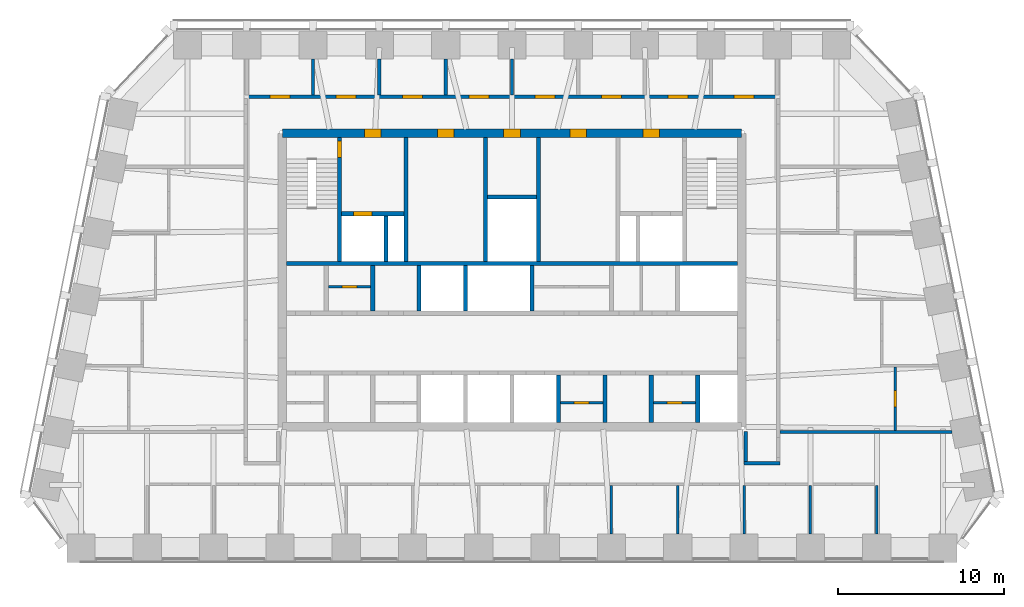
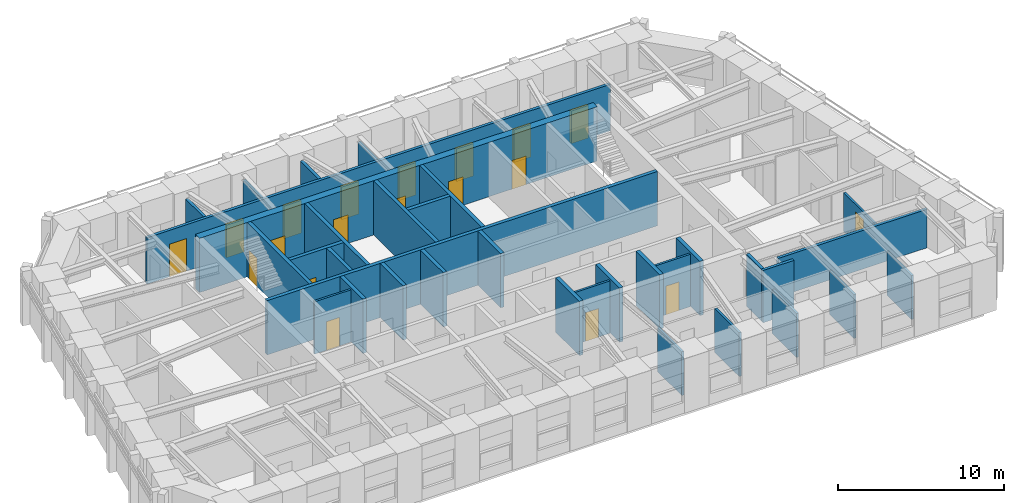
# One storey, part 6 of 10: 34 walls, 19 doors, 19 openings.
"""IFC4 building model written with IfcOpenShell, lengths in metres."""

from ifc_helpers import new_model, si_unit, direction, frame, frame_2d, origin, place, context, subcontext, project, spatial, rectangle, extrude, material, layer, layer_set, type_object, element, fill, save


model = new_model("IFC4")

# Units and contexts
model_context = context("Model", 3, precision=1e-05, world=origin(), true_north=direction((0.0, 1.0)))
body_context = subcontext(model_context, "Body", "Model", "MODEL_VIEW")
ifc_project = project(units=[si_unit("LENGTHUNIT", "METRE"), si_unit("AREAUNIT", "SQUARE_METRE"), si_unit("VOLUMEUNIT", "CUBIC_METRE"), si_unit("PLANEANGLEUNIT", "RADIAN"), si_unit("MASSUNIT", "GRAM", prefix="KILO")], contexts=[model_context])

# Site, building, storey
site_placement = place(None, origin())
site = spatial("IfcSite", under=ifc_project, at=site_placement, CompositionType="ELEMENT")
building_placement = place(site_placement, origin())
building = spatial("IfcBuilding", under=site, at=building_placement, Name="Isbrekke Arena Tower", CompositionType="ELEMENT")
storey_placement = place(building_placement, frame((0.0, 0.0, 300.0)))
storey = spatial("IfcBuildingStorey", under=building, at=storey_placement, Name="L70", CompositionType="ELEMENT", Elevation=300.0)

# Wall, openings, doors
ifc_material_1 = material(Name="Concrete B55 (C55/67)", Category="concrete")
ifc_layer_1 = layer(ifc_material_1, 0.5)
ifc_layer_set_1 = layer_set([ifc_layer_1], Name="CW5 CORE WALL 500")
wall_type_1 = type_object("IfcWallType", Name="CW5 CORE WALL 500", PredefinedType="SHEAR", material=ifc_layer_set_1)
wall_1_placement = place(storey_placement, frame((13.85009765625, 23.85009765625, 0.0), z_axis=(0.0, 0.0, 1.0), x_axis=(-1.0, 0.0, 0.0)))
wall_1 = element("IfcWall", 1, at=wall_1_placement, inside=storey, type_object=wall_type_1, Name="Core wall N L70", PredefinedType="SHEAR", context=body_context, shape_type="SweptSolid", body=[
    extrude(rectangle(XDim=27.7001953125, YDim=0.5, at=frame_2d((13.85009765625, 0.0))), origin(), (0.0, 0.0, 1.0), 4.0),
])
opening_1_placement = place(wall_1_placement, frame((21.75, 0.0, 0.0)))
opening_1 = element("IfcOpeningElement", 2, at=opening_1_placement, cuts=wall_1, Name="Opening D3", PredefinedType="OPENING", context=body_context, shape_type="SweptSolid", body=[
    extrude(rectangle(XDim=1.0, YDim=2.10009765625, at=frame_2d((0.5, 1.050048828125))), frame((0.0, 0.264892578125, 0.0), z_axis=(0.0, -1.0, 0.0), x_axis=(1.0, 0.0, 0.0)), (0.0, 0.0, 1.0), 0.52978515625),
])
opening_2_placement = place(wall_1_placement, frame((4.949951171875, 0.0, 0.0)))
opening_2 = element("IfcOpeningElement", 3, at=opening_2_placement, cuts=wall_1, Name="Opening D3", PredefinedType="OPENING", context=body_context, shape_type="SweptSolid", body=[
    extrude(rectangle(XDim=1.0, YDim=2.10009765625, at=frame_2d((0.5, 1.050048828125))), frame((0.0, 0.264892578125, 0.0), z_axis=(0.0, -1.0, 0.0), x_axis=(1.0, 0.0, 0.0)), (0.0, 0.0, 1.0), 0.52978515625),
])
opening_3_placement = place(wall_1_placement, frame((17.35009765625, 0.0, 0.0)))
opening_3 = element("IfcOpeningElement", 4, at=opening_3_placement, cuts=wall_1, Name="Opening D4", PredefinedType="OPENING", context=body_context, shape_type="SweptSolid", body=[
    extrude(rectangle(XDim=1.0, YDim=2.10009765625, at=frame_2d((0.5, 1.050048828125))), frame((0.0, 0.264892578125, 0.0), z_axis=(0.0, -1.0, 0.0), x_axis=(1.0, 0.0, 0.0)), (0.0, 0.0, 1.0), 0.52978515625),
])
opening_4_placement = place(wall_1_placement, frame((13.35009765625, 0.0, 0.0)))
opening_4 = element("IfcOpeningElement", 5, at=opening_4_placement, cuts=wall_1, Name="Opening D4", PredefinedType="OPENING", context=body_context, shape_type="SweptSolid", body=[
    extrude(rectangle(XDim=1.0, YDim=2.10009765625, at=frame_2d((0.5, 1.050048828125))), frame((0.0, 0.264892578125, 0.0), z_axis=(0.0, -1.0, 0.0), x_axis=(1.0, 0.0, 0.0)), (0.0, 0.0, 1.0), 0.52978515625),
])
opening_5_placement = place(wall_1_placement, frame((9.35009765625, 0.0, 0.0)))
opening_5 = element("IfcOpeningElement", 6, at=opening_5_placement, cuts=wall_1, Name="Opening D4", PredefinedType="OPENING", context=body_context, shape_type="SweptSolid", body=[
    extrude(rectangle(XDim=1.0, YDim=2.10009765625, at=frame_2d((0.5, 1.050048828125))), frame((0.0, 0.264892578125, 0.0), z_axis=(0.0, -1.0, 0.0), x_axis=(1.0, 0.0, 0.0)), (0.0, 0.0, 1.0), 0.52978515625),
])
ifc_material_2 = material(Name="Steel fire door", Category="steel")
door_type_1 = type_object("IfcDoorType", Name="D3 FIRE LOBBY DOOR 1000 x 2100", OperationType="SINGLE_SWING_RIGHT", PredefinedType="DOOR", material=ifc_material_2)
door_1_placement = place(opening_1_placement, origin())
door_1 = element("IfcDoor", 7, at=door_1_placement, inside=storey, type_object=door_type_1, Name="D3 fire-fighting lobby door L70", OperationType="SINGLE_SWING_RIGHT", OverallHeight=2.10009765625, OverallWidth=1.0, PredefinedType="DOOR", context=body_context, shape_type="SweptSolid", body=[
    extrude(rectangle(XDim=1.0, YDim=2.10009765625, at=frame_2d((0.5, 1.050048828125))), frame((0.0, 0.249755859375, 0.0), z_axis=(0.0, -1.0, 0.0), x_axis=(1.0, 0.0, 0.0)), (0.0, 0.0, 1.0), 0.49951171875),
])
fill(opening_1, door_1)
door_2_placement = place(opening_2_placement, origin())
door_2 = element("IfcDoor", 8, at=door_2_placement, inside=storey, type_object=door_type_1, Name="D3 fire-fighting lobby door L70", OperationType="SINGLE_SWING_RIGHT", OverallHeight=2.10009765625, OverallWidth=1.0, PredefinedType="DOOR", context=body_context, shape_type="SweptSolid", body=[
    extrude(rectangle(XDim=1.0, YDim=2.10009765625, at=frame_2d((0.5, 1.050048828125))), frame((0.0, 0.249755859375, 0.0), z_axis=(0.0, -1.0, 0.0), x_axis=(1.0, 0.0, 0.0)), (0.0, 0.0, 1.0), 0.49951171875),
])
fill(opening_2, door_2)
ifc_material_3 = material(Name="Timber door", Category="wood")
door_type_2 = type_object("IfcDoorType", Name="D4 WC DOOR 1000 x 2100", OperationType="SINGLE_SWING_LEFT", PredefinedType="DOOR", material=ifc_material_3)
door_3_placement = place(opening_3_placement, origin())
door_3 = element("IfcDoor", 9, at=door_3_placement, inside=storey, type_object=door_type_2, Name="D4 wc female door L70", OperationType="SINGLE_SWING_LEFT", OverallHeight=2.10009765625, OverallWidth=1.0, PredefinedType="DOOR", context=body_context, shape_type="SweptSolid", body=[
    extrude(rectangle(XDim=1.0, YDim=2.10009765625, at=frame_2d((0.5, 1.050048828125))), frame((0.0, 0.249755859375, 0.0), z_axis=(0.0, -1.0, 0.0), x_axis=(1.0, 0.0, 0.0)), (0.0, 0.0, 1.0), 0.49951171875),
])
fill(opening_3, door_3)
door_4_placement = place(opening_4_placement, origin())
door_4 = element("IfcDoor", 10, at=door_4_placement, inside=storey, type_object=door_type_2, Name="D4 accessible wc door L70", OperationType="SINGLE_SWING_LEFT", OverallHeight=2.10009765625, OverallWidth=1.0, PredefinedType="DOOR", context=body_context, shape_type="SweptSolid", body=[
    extrude(rectangle(XDim=1.0, YDim=2.10009765625, at=frame_2d((0.5, 1.050048828125))), frame((0.0, 0.249755859375, 0.0), z_axis=(0.0, -1.0, 0.0), x_axis=(1.0, 0.0, 0.0)), (0.0, 0.0, 1.0), 0.49951171875),
])
fill(opening_4, door_4)
door_5_placement = place(opening_5_placement, origin())
door_5 = element("IfcDoor", 11, at=door_5_placement, inside=storey, type_object=door_type_2, Name="D4 wc male door L70", OperationType="SINGLE_SWING_LEFT", OverallHeight=2.10009765625, OverallWidth=1.0, PredefinedType="DOOR", context=body_context, shape_type="SweptSolid", body=[
    extrude(rectangle(XDim=1.0, YDim=2.10009765625, at=frame_2d((0.5, 1.050048828125))), frame((0.0, 0.249755859375, 0.0), z_axis=(0.0, -1.0, 0.0), x_axis=(1.0, 0.0, 0.0)), (0.0, 0.0, 1.0), 0.49951171875),
])
fill(opening_5, door_5)

# Walls
ifc_material_4 = material(Name="Concrete B45 (C45/55)", Category="concrete")
ifc_layer_2 = layer(ifc_material_4, 0.25)
ifc_layer_set_2 = layer_set([ifc_layer_2], Name="CW6 SHAFT WALL 250")
wall_type_2 = type_object("IfcWallType", Name="CW6 SHAFT WALL 250", PredefinedType="SHEAR", material=ifc_layer_set_2)
wall_2_placement = place(storey_placement, frame((-13.60009765625, 16.0, 0.0), z_axis=(0.0, 0.0, 1.0), x_axis=(1.0, 0.0, 0.0)))
element("IfcWall", 12, at=wall_2_placement, inside=storey, type_object=wall_type_2, Name="Core wall NB L70", PredefinedType="SHEAR", context=body_context, shape_type="SweptSolid", body=[
    extrude(rectangle(XDim=27.2001953125, YDim=0.25, at=frame_2d((13.60009765625, 0.0))), origin(), (0.0, 0.0, 1.0), 4.0),
])
for number, where, z_axis, x_axis, name in (
    (13, (2.800048828125, 6.39990234375, 0.0), (0.0, 0.0, 1.0), (0.0, 1.0, 0.0), "Core wall SS06 L70"),
    (14, (5.60009765625, 6.39990234375, 0.0), (0.0, 0.0, 1.0), (0.0, 1.0, 0.0), "Core wall SS07 L70"),
    (15, (8.39990234375, 6.39990234375, 0.0), (0.0, 0.0, 1.0), (0.0, 1.0, 0.0), "Core wall SS08 L70"),
    (16, (11.199951171875, 6.39990234375, 0.0), (0.0, 0.0, 1.0), (0.0, 1.0, 0.0), "Core wall SS09 L70"),
):
    element("IfcWall", number, at=place(storey_placement, frame(where, z_axis=z_axis, x_axis=x_axis)), inside=storey, type_object=wall_type_2, Name=name, PredefinedType="SHEAR", context=body_context, shape_type="SweptSolid", body=[
        extrude(rectangle(XDim=2.875, YDim=0.25, at=frame_2d((1.4375, 0.0))), origin(), (0.0, 0.0, 1.0), 4.0),
    ])
for number, where, z_axis, x_axis, name in (
    (17, (-8.39990234375, 13.125, 0.0), (0.0, 0.0, 1.0), (0.0, 1.0, 0.0), "Core wall SN02 L70"),
    (18, (-5.60009765625, 13.125, 0.0), (0.0, 0.0, 1.0), (0.0, 1.0, 0.0), "Core wall SN03 L70"),
    (19, (-2.800048828125, 13.125, 0.0), (0.0, 0.0, 1.0), (0.0, 1.0, 0.0), "Core wall SN04 L70"),
    (20, (1.199951171875, 13.125, 0.0), (0.0, 0.0, 1.0), (0.0, 1.0, 0.0), "Core wall SN05 L70"),
):
    element("IfcWall", number, at=place(storey_placement, frame(where, z_axis=z_axis, x_axis=x_axis)), inside=storey, type_object=wall_type_2, Name=name, PredefinedType="SHEAR", context=body_context, shape_type="SweptSolid", body=[
        extrude(rectangle(XDim=2.75, YDim=0.25, at=frame_2d((1.375, 0.0))), origin(), (0.0, 0.0, 1.0), 4.0),
    ])

# Wall, opening, door
wall_3_placement = place(storey_placement, frame((-10.39990234375, 16.125, 0.0), z_axis=(0.0, 0.0, 1.0), x_axis=(0.0, 1.0, 0.0)))
wall_3 = element("IfcWall", 21, at=wall_3_placement, inside=storey, type_object=wall_type_2, Name="Core wall NV01 L70", PredefinedType="SHEAR", context=body_context, shape_type="SweptSolid", body=[
    extrude(rectangle(XDim=7.47509765625, YDim=0.25, at=frame_2d((3.737548828125, 0.0))), origin(), (0.0, 0.0, 1.0), 4.0),
])
opening_6_placement = place(wall_3_placement, frame((6.27490234375, 0.0, 0.0)))
opening_6 = element("IfcOpeningElement", 22, at=opening_6_placement, cuts=wall_3, Name="Opening D2", PredefinedType="OPENING", context=body_context, shape_type="SweptSolid", body=[
    extrude(rectangle(XDim=1.0, YDim=2.10009765625, at=frame_2d((0.5, 1.050048828125))), frame((0.0, 0.139892578125, 0.0), z_axis=(0.0, -1.0, 0.0), x_axis=(1.0, 0.0, 0.0)), (0.0, 0.0, 1.0), 0.27978515625),
])
ifc_material_5 = material(Name="Steel fire door", Category="steel")
door_type_3 = type_object("IfcDoorType", Name="D2 STAIR DOOR 1000 x 2100", OperationType="SINGLE_SWING_LEFT", PredefinedType="DOOR", material=ifc_material_5)
door_6_placement = place(opening_6_placement, origin())
door_6 = element("IfcDoor", 23, at=door_6_placement, inside=storey, type_object=door_type_3, Name="D2 stair door ST1 L70", OperationType="SINGLE_SWING_LEFT", OverallHeight=2.10009765625, OverallWidth=1.0, PredefinedType="DOOR", context=body_context, shape_type="SweptSolid", body=[
    extrude(rectangle(XDim=1.0, YDim=2.10009765625, at=frame_2d((0.5, 1.050048828125))), frame((0.0, 0.124755859375, 0.0), z_axis=(0.0, -1.0, 0.0), x_axis=(1.0, 0.0, 0.0)), (0.0, 0.0, 1.0), 0.24951171875),
])
fill(opening_6, door_6)

# Walls
for number, where, z_axis, x_axis, name in (
    (24, (-6.39990234375, 16.125, 0.0), (0.0, 0.0, 1.0), (0.0, 1.0, 0.0), "Core wall NV02 L70"),
    (25, (-1.60009765625, 16.125, 0.0), (0.0, 0.0, 1.0), (0.0, 1.0, 0.0), "Core wall NV03 L70"),
    (26, (1.60009765625, 16.125, 0.0), (0.0, 0.0, 1.0), (0.0, 1.0, 0.0), "Core wall NV04 L70"),
):
    element("IfcWall", number, at=place(storey_placement, frame(where, z_axis=z_axis, x_axis=x_axis)), inside=storey, type_object=wall_type_2, Name=name, PredefinedType="SHEAR", context=body_context, shape_type="SweptSolid", body=[
        extrude(rectangle(XDim=7.47509765625, YDim=0.25, at=frame_2d((3.737548828125, 0.0))), origin(), (0.0, 0.0, 1.0), 4.0),
    ])

# Wall, opening, door
wall_4_placement = place(storey_placement, frame((-10.27490234375, 19.0, 0.0), z_axis=(0.0, 0.0, 1.0), x_axis=(1.0, 0.0, 0.0)))
wall_4 = element("IfcWall", 27, at=wall_4_placement, inside=storey, type_object=wall_type_2, Name="Core wall NFW L70", PredefinedType="SHEAR", context=body_context, shape_type="SweptSolid", body=[
    extrude(rectangle(XDim=3.75, YDim=0.25, at=frame_2d((1.875, 0.0))), origin(), (0.0, 0.0, 1.0), 4.0),
])
opening_7_placement = place(wall_4_placement, frame((0.72509765625, 0.0, 0.0)))
opening_7 = element("IfcOpeningElement", 28, at=opening_7_placement, cuts=wall_4, Name="Opening LD2", PredefinedType="OPENING", context=body_context, shape_type="SweptSolid", body=[
    extrude(rectangle(XDim=1.10009765625, YDim=2.10009765625, at=frame_2d((0.550048828125, 1.050048828125))), frame((0.0, 0.139892578125, 0.0), z_axis=(0.0, -1.0, 0.0), x_axis=(1.0, 0.0, 0.0)), (0.0, 0.0, 1.0), 0.27978515625),
])
ifc_material_6 = material(Name="Stainless steel lift landing door", Category="steel")
door_type_4 = type_object("IfcDoorType", Name="LD2 FIRE-FIGHTING LIFT LANDING DOOR 1100 x 2100", OperationType="SLIDING_TO_RIGHT", PredefinedType="DOOR", material=ifc_material_6)
door_7_placement = place(opening_7_placement, origin())
door_7 = element("IfcDoor", 29, at=door_7_placement, inside=storey, type_object=door_type_4, Name="LD2 lift landing door LF L70", OperationType="SLIDING_TO_RIGHT", OverallHeight=2.10009765625, OverallWidth=1.10009765625, PredefinedType="DOOR", context=body_context, shape_type="SweptSolid", body=[
    extrude(rectangle(XDim=1.10009765625, YDim=2.10009765625, at=frame_2d((0.550048828125, 1.050048828125))), frame((0.0, 0.124755859375, 0.0), z_axis=(0.0, -1.0, 0.0), x_axis=(1.0, 0.0, 0.0)), (0.0, 0.0, 1.0), 0.24951171875),
])
fill(opening_7, door_7)

# Walls
wall_5_placement = place(storey_placement, frame((-7.60009765625, 16.125, 0.0), z_axis=(0.0, 0.0, 1.0), x_axis=(0.0, 1.0, 0.0)))
element("IfcWall", 30, at=wall_5_placement, inside=storey, type_object=wall_type_2, Name="Core wall NFS1 L70", PredefinedType="SHEAR", context=body_context, shape_type="SweptSolid", body=[
    extrude(rectangle(XDim=2.75, YDim=0.25, at=frame_2d((1.375, 0.0))), origin(), (0.0, 0.0, 1.0), 4.0),
])
wall_6_placement = place(storey_placement, frame((-1.47509765625, 20.0, 0.0), z_axis=(0.0, 0.0, 1.0), x_axis=(1.0, 0.0, 0.0)))
element("IfcWall", 31, at=wall_6_placement, inside=storey, type_object=wall_type_2, Name="Core wall NWC L70", PredefinedType="SHEAR", context=body_context, shape_type="SweptSolid", body=[
    extrude(rectangle(XDim=2.9501953125, YDim=0.25, at=frame_2d((1.47509765625, 0.0))), origin(), (0.0, 0.0, 1.0), 4.0),
])
ifc_material_7 = material(Name="Gypsum board partition on steel studs", Category="steel")
ifc_layer_3 = layer(ifc_material_7, 0.14990234375)
ifc_layer_set_3 = layer_set([ifc_layer_3], Name="IW1 PARTITION 150")
wall_type_3 = type_object("IfcWallType", Name="IW1 PARTITION 150", PredefinedType="PARTITIONING", material=ifc_layer_set_3)
for number, where, z_axis, x_axis, name in (
    (32, (6.0, -0.324951171875, 0.0), (0.0, 0.0, 1.0), (0.0, 1.0, 0.0), "IW1 partition 150 L70"),
    (33, (10.0, -0.324951171875, 0.0), (0.0, 0.0, 1.0), (0.0, 1.0, 0.0), "IW1 partition 150 L70"),
    (34, (14.0, -0.324951171875, 0.0), (0.0, 0.0, 1.0), (0.0, 1.0, 0.0), "IW1 partition 150 L70"),
    (35, (18.0, -0.324951171875, 0.0), (0.0, 0.0, 1.0), (0.0, 1.0, 0.0), "IW1 partition 150 L70"),
    (36, (22.0, -0.324951171875, 0.0), (0.0, 0.0, 1.0), (0.0, 1.0, 0.0), "IW1 partition 150 L70"),
):
    element("IfcWall", number, at=place(storey_placement, frame(where, z_axis=z_axis, x_axis=x_axis)), inside=storey, type_object=wall_type_3, Name=name, PredefinedType="PARTITIONING", context=body_context, shape_type="SweptSolid", body=[
        extrude(rectangle(XDim=2.949951171875, YDim=0.14990234375, at=frame_2d((1.47509765625, 0.0))), origin(), (0.0, 0.0, 1.0), 3.22998046875),
    ])

# Wall, opening, door
wall_7_placement = place(storey_placement, frame((23.10009765625, 5.93994140625, 0.0), z_axis=(0.0, 0.0, 1.0), x_axis=(0.0, 1.0, 0.0)))
wall_7 = element("IfcWall", 37, at=wall_7_placement, inside=storey, type_object=wall_type_3, Name="IW1 partition 150 L70", PredefinedType="PARTITIONING", context=body_context, shape_type="SweptSolid", body=[
    extrude(rectangle(XDim=3.824951171875, YDim=0.14990234375, at=frame_2d((1.91259765625, 0.0))), origin(), (0.0, 0.0, 1.0), 2.842041015625),
])
opening_8_placement = place(wall_7_placement, frame((1.39990234375, 0.0, 0.0)))
opening_8 = element("IfcOpeningElement", 38, at=opening_8_placement, cuts=wall_7, Name="Opening D10", PredefinedType="OPENING", context=body_context, shape_type="SweptSolid", body=[
    extrude(rectangle(XDim=1.0, YDim=2.300048828125, at=frame_2d((0.5, 1.14990234375))), frame((0.0, 0.08984375, 0.0), z_axis=(0.0, -1.0, 0.0), x_axis=(1.0, 0.0, 0.0)), (0.0, 0.0, 1.0), 0.1796875),
])
ifc_material_8 = material(Name="Timber door", Category="wood")
door_type_5 = type_object("IfcDoorType", Name="D10 OFFICE DOOR 1000 x 2300", OperationType="SINGLE_SWING_LEFT", PredefinedType="DOOR", material=ifc_material_8)
door_8_placement = place(opening_8_placement, origin())
door_8 = element("IfcDoor", 39, at=door_8_placement, inside=storey, type_object=door_type_5, Name="D10 executive office door L70", OperationType="SINGLE_SWING_LEFT", OverallHeight=2.300048828125, OverallWidth=1.0, PredefinedType="DOOR", context=body_context, shape_type="SweptSolid", body=[
    extrude(rectangle(XDim=1.0, YDim=2.300048828125, at=frame_2d((0.5, 1.14990234375))), frame((0.0, 0.07470703125, 0.0), z_axis=(0.0, -1.0, 0.0), x_axis=(1.0, 0.0, 0.0)), (0.0, 0.0, 1.0), 0.1494140625),
])
fill(opening_8, door_8)

# Walls
ifc_material_9 = material(Name="Gypsum board fire-cell wall on steel studs, two layers each side", Category="steel")
ifc_layer_4 = layer(ifc_material_9, 0.199951171875)
ifc_layer_set_4 = layer_set([ifc_layer_4], Name="IW3 FIRE-CELL WALL 200")
wall_type_4 = type_object("IfcWallType", Name="IW3 FIRE-CELL WALL 200", PredefinedType="PARTITIONING", material=ifc_layer_set_4)
wall_8_placement = place(storey_placement, frame((14.0, 3.949951171875, 0.0), z_axis=(0.0, 0.0, 1.0), x_axis=(1.0, 0.0, 0.0)))
element("IfcWall", 40, at=wall_8_placement, inside=storey, type_object=wall_type_4, Name="IW3 fire-cell wall 200 L70", PredefinedType="PARTITIONING", context=body_context, shape_type="SweptSolid", body=[
    extrude(rectangle(XDim=2.14990234375, YDim=0.199951171875, at=frame_2d((1.074951171875, 0.0))), origin(), (0.0, 0.0, 1.0), 3.85009765625),
])
wall_9_placement = place(storey_placement, frame((16.14990234375, 5.840087890625, 0.0), z_axis=(0.0, 0.0, 1.0), x_axis=(1.0, 0.0, 0.0)))
element("IfcWall", 41, at=wall_9_placement, inside=storey, type_object=wall_type_4, Name="IW3 fire-cell wall 200 L70", PredefinedType="PARTITIONING", context=body_context, shape_type="SweptSolid", body=[
    extrude(rectangle(XDim=10.373779296875, YDim=0.199951171875, at=frame_2d((5.18701171875, 0.0))), origin(), (0.0, 0.0, 1.0), 2.842041015625),
])

# Wall, openings, doors
wall_10_placement = place(storey_placement, frame((-16.14990234375, 26.050048828125, 0.0), z_axis=(0.0, 0.0, 1.0), x_axis=(1.0, 0.0, 0.0)))
wall_10 = element("IfcWall", 42, at=wall_10_placement, inside=storey, type_object=wall_type_4, Name="IW3 fire-cell wall 200 L70", PredefinedType="PARTITIONING", context=body_context, shape_type="SweptSolid", body=[
    extrude(rectangle(XDim=32.2998046875, YDim=0.199951171875, at=frame_2d((16.14990234375, 0.0))), origin(), (0.0, 0.0, 1.0), 3.41796875),
])
opening_9_placement = place(wall_10_placement, frame((1.550048828125, 0.0, 0.0)))
opening_9 = element("IfcOpeningElement", 43, at=opening_9_placement, cuts=wall_10, Name="Opening D12", PredefinedType="OPENING", context=body_context, shape_type="SweptSolid", body=[
    extrude(rectangle(XDim=1.199951171875, YDim=2.39990234375, at=frame_2d((0.60009765625, 1.199951171875))), frame((0.0, 0.11474609375, 0.0), z_axis=(0.0, -1.0, 0.0), x_axis=(1.0, 0.0, 0.0)), (0.0, 0.0, 1.0), 0.229736328125),
])
opening_10_placement = place(wall_10_placement, frame((5.550048828125, 0.0, 0.0)))
opening_10 = element("IfcOpeningElement", 44, at=opening_10_placement, cuts=wall_10, Name="Opening D12", PredefinedType="OPENING", context=body_context, shape_type="SweptSolid", body=[
    extrude(rectangle(XDim=1.199951171875, YDim=2.39990234375, at=frame_2d((0.60009765625, 1.199951171875))), frame((0.0, 0.11474609375, 0.0), z_axis=(0.0, -1.0, 0.0), x_axis=(1.0, 0.0, 0.0)), (0.0, 0.0, 1.0), 0.229736328125),
])
opening_11_placement = place(wall_10_placement, frame((9.550048828125, 0.0, 0.0)))
opening_11 = element("IfcOpeningElement", 45, at=opening_11_placement, cuts=wall_10, Name="Opening D12", PredefinedType="OPENING", context=body_context, shape_type="SweptSolid", body=[
    extrude(rectangle(XDim=1.199951171875, YDim=2.39990234375, at=frame_2d((0.60009765625, 1.199951171875))), frame((0.0, 0.11474609375, 0.0), z_axis=(0.0, -1.0, 0.0), x_axis=(1.0, 0.0, 0.0)), (0.0, 0.0, 1.0), 0.229736328125),
])
opening_12_placement = place(wall_10_placement, frame((13.550048828125, 0.0, 0.0)))
opening_12 = element("IfcOpeningElement", 46, at=opening_12_placement, cuts=wall_10, Name="Opening D12", PredefinedType="OPENING", context=body_context, shape_type="SweptSolid", body=[
    extrude(rectangle(XDim=1.199951171875, YDim=2.39990234375, at=frame_2d((0.60009765625, 1.199951171875))), frame((0.0, 0.11474609375, 0.0), z_axis=(0.0, -1.0, 0.0), x_axis=(1.0, 0.0, 0.0)), (0.0, 0.0, 1.0), 0.229736328125),
])
opening_13_placement = place(wall_10_placement, frame((17.550048828125, 0.0, 0.0)))
opening_13 = element("IfcOpeningElement", 47, at=opening_13_placement, cuts=wall_10, Name="Opening D12", PredefinedType="OPENING", context=body_context, shape_type="SweptSolid", body=[
    extrude(rectangle(XDim=1.199951171875, YDim=2.39990234375, at=frame_2d((0.60009765625, 1.199951171875))), frame((0.0, 0.11474609375, 0.0), z_axis=(0.0, -1.0, 0.0), x_axis=(1.0, 0.0, 0.0)), (0.0, 0.0, 1.0), 0.229736328125),
])
opening_14_placement = place(wall_10_placement, frame((21.550048828125, 0.0, 0.0)))
opening_14 = element("IfcOpeningElement", 48, at=opening_14_placement, cuts=wall_10, Name="Opening D12", PredefinedType="OPENING", context=body_context, shape_type="SweptSolid", body=[
    extrude(rectangle(XDim=1.199951171875, YDim=2.39990234375, at=frame_2d((0.60009765625, 1.199951171875))), frame((0.0, 0.11474609375, 0.0), z_axis=(0.0, -1.0, 0.0), x_axis=(1.0, 0.0, 0.0)), (0.0, 0.0, 1.0), 0.229736328125),
])
opening_15_placement = place(wall_10_placement, frame((25.550048828125, 0.0, 0.0)))
opening_15 = element("IfcOpeningElement", 49, at=opening_15_placement, cuts=wall_10, Name="Opening D12", PredefinedType="OPENING", context=body_context, shape_type="SweptSolid", body=[
    extrude(rectangle(XDim=1.199951171875, YDim=2.39990234375, at=frame_2d((0.60009765625, 1.199951171875))), frame((0.0, 0.11474609375, 0.0), z_axis=(0.0, -1.0, 0.0), x_axis=(1.0, 0.0, 0.0)), (0.0, 0.0, 1.0), 0.229736328125),
])
opening_16_placement = place(wall_10_placement, frame((29.550048828125, 0.0, 0.0)))
opening_16 = element("IfcOpeningElement", 50, at=opening_16_placement, cuts=wall_10, Name="Opening D12", PredefinedType="OPENING", context=body_context, shape_type="SweptSolid", body=[
    extrude(rectangle(XDim=1.199951171875, YDim=2.39990234375, at=frame_2d((0.60009765625, 1.199951171875))), frame((0.0, 0.11474609375, 0.0), z_axis=(0.0, -1.0, 0.0), x_axis=(1.0, 0.0, 0.0)), (0.0, 0.0, 1.0), 0.229736328125),
])
ifc_material_10 = material(Name="Timber fire door with vision panel", Category="wood")
door_type_6 = type_object("IfcDoorType", Name="D12 SUITE ENTRANCE DOOR 1200 x 2400", OperationType="SINGLE_SWING_LEFT", PredefinedType="DOOR", material=ifc_material_10)
door_9_placement = place(opening_9_placement, origin())
door_9 = element("IfcDoor", 51, at=door_9_placement, inside=storey, type_object=door_type_6, Name="D12 suite entrance NB1 door L70", OperationType="SINGLE_SWING_LEFT", OverallHeight=2.39990234375, OverallWidth=1.199951171875, PredefinedType="DOOR", context=body_context, shape_type="SweptSolid", body=[
    extrude(rectangle(XDim=1.199951171875, YDim=2.39990234375, at=frame_2d((0.60009765625, 1.199951171875))), frame((0.0, 0.099609375, 0.0), z_axis=(0.0, -1.0, 0.0), x_axis=(1.0, 0.0, 0.0)), (0.0, 0.0, 1.0), 0.199462890625),
])
fill(opening_9, door_9)
door_10_placement = place(opening_10_placement, origin())
door_10 = element("IfcDoor", 52, at=door_10_placement, inside=storey, type_object=door_type_6, Name="D12 suite entrance NB2 door L70", OperationType="SINGLE_SWING_LEFT", OverallHeight=2.39990234375, OverallWidth=1.199951171875, PredefinedType="DOOR", context=body_context, shape_type="SweptSolid", body=[
    extrude(rectangle(XDim=1.199951171875, YDim=2.39990234375, at=frame_2d((0.60009765625, 1.199951171875))), frame((0.0, 0.099609375, 0.0), z_axis=(0.0, -1.0, 0.0), x_axis=(1.0, 0.0, 0.0)), (0.0, 0.0, 1.0), 0.199462890625),
])
fill(opening_10, door_10)
door_11_placement = place(opening_11_placement, origin())
door_11 = element("IfcDoor", 53, at=door_11_placement, inside=storey, type_object=door_type_6, Name="D12 suite entrance NB3 door L70", OperationType="SINGLE_SWING_LEFT", OverallHeight=2.39990234375, OverallWidth=1.199951171875, PredefinedType="DOOR", context=body_context, shape_type="SweptSolid", body=[
    extrude(rectangle(XDim=1.199951171875, YDim=2.39990234375, at=frame_2d((0.60009765625, 1.199951171875))), frame((0.0, 0.099609375, 0.0), z_axis=(0.0, -1.0, 0.0), x_axis=(1.0, 0.0, 0.0)), (0.0, 0.0, 1.0), 0.199462890625),
])
fill(opening_11, door_11)
door_12_placement = place(opening_12_placement, origin())
door_12 = element("IfcDoor", 54, at=door_12_placement, inside=storey, type_object=door_type_6, Name="D12 suite entrance NB4 door L70", OperationType="SINGLE_SWING_LEFT", OverallHeight=2.39990234375, OverallWidth=1.199951171875, PredefinedType="DOOR", context=body_context, shape_type="SweptSolid", body=[
    extrude(rectangle(XDim=1.199951171875, YDim=2.39990234375, at=frame_2d((0.60009765625, 1.199951171875))), frame((0.0, 0.099609375, 0.0), z_axis=(0.0, -1.0, 0.0), x_axis=(1.0, 0.0, 0.0)), (0.0, 0.0, 1.0), 0.199462890625),
])
fill(opening_12, door_12)
door_13_placement = place(opening_13_placement, origin())
door_13 = element("IfcDoor", 55, at=door_13_placement, inside=storey, type_object=door_type_6, Name="D12 suite entrance NB5 door L70", OperationType="SINGLE_SWING_LEFT", OverallHeight=2.39990234375, OverallWidth=1.199951171875, PredefinedType="DOOR", context=body_context, shape_type="SweptSolid", body=[
    extrude(rectangle(XDim=1.199951171875, YDim=2.39990234375, at=frame_2d((0.60009765625, 1.199951171875))), frame((0.0, 0.099609375, 0.0), z_axis=(0.0, -1.0, 0.0), x_axis=(1.0, 0.0, 0.0)), (0.0, 0.0, 1.0), 0.199462890625),
])
fill(opening_13, door_13)
door_14_placement = place(opening_14_placement, origin())
door_14 = element("IfcDoor", 56, at=door_14_placement, inside=storey, type_object=door_type_6, Name="D12 suite entrance NB6 door L70", OperationType="SINGLE_SWING_LEFT", OverallHeight=2.39990234375, OverallWidth=1.199951171875, PredefinedType="DOOR", context=body_context, shape_type="SweptSolid", body=[
    extrude(rectangle(XDim=1.199951171875, YDim=2.39990234375, at=frame_2d((0.60009765625, 1.199951171875))), frame((0.0, 0.099609375, 0.0), z_axis=(0.0, -1.0, 0.0), x_axis=(1.0, 0.0, 0.0)), (0.0, 0.0, 1.0), 0.199462890625),
])
fill(opening_14, door_14)
door_15_placement = place(opening_15_placement, origin())
door_15 = element("IfcDoor", 57, at=door_15_placement, inside=storey, type_object=door_type_6, Name="D12 suite entrance NB7 door L70", OperationType="SINGLE_SWING_LEFT", OverallHeight=2.39990234375, OverallWidth=1.199951171875, PredefinedType="DOOR", context=body_context, shape_type="SweptSolid", body=[
    extrude(rectangle(XDim=1.199951171875, YDim=2.39990234375, at=frame_2d((0.60009765625, 1.199951171875))), frame((0.0, 0.099609375, 0.0), z_axis=(0.0, -1.0, 0.0), x_axis=(1.0, 0.0, 0.0)), (0.0, 0.0, 1.0), 0.199462890625),
])
fill(opening_15, door_15)
door_16_placement = place(opening_16_placement, origin())
door_16 = element("IfcDoor", 58, at=door_16_placement, inside=storey, type_object=door_type_6, Name="D12 suite entrance NB8 door L70", OperationType="SINGLE_SWING_LEFT", OverallHeight=2.39990234375, OverallWidth=1.199951171875, PredefinedType="DOOR", context=body_context, shape_type="SweptSolid", body=[
    extrude(rectangle(XDim=1.199951171875, YDim=2.39990234375, at=frame_2d((0.60009765625, 1.199951171875))), frame((0.0, 0.099609375, 0.0), z_axis=(0.0, -1.0, 0.0), x_axis=(1.0, 0.0, 0.0)), (0.0, 0.0, 1.0), 0.199462890625),
])
fill(opening_16, door_16)

# Walls
for number, where, z_axis, x_axis, name in (
    (59, (-12.0, 26.14990234375, 0.0), (0.0, 0.0, 1.0), (0.0, 1.0, 0.0), "IW3 fire-cell wall 200 L70"),
    (60, (-8.0, 26.14990234375, 0.0), (0.0, 0.0, 1.0), (0.0, 1.0, 0.0), "IW3 fire-cell wall 200 L70"),
    (61, (-4.0, 26.14990234375, 0.0), (0.0, 0.0, 1.0), (0.0, 1.0, 0.0), "IW3 fire-cell wall 200 L70"),
    (62, (0.0, 26.14990234375, 0.0), (0.0, 0.0, 1.0), (0.0, 1.0, 0.0), "IW3 fire-cell wall 200 L70"),
):
    element("IfcWall", number, at=place(storey_placement, frame(where, z_axis=z_axis, x_axis=x_axis)), inside=storey, type_object=wall_type_4, Name=name, PredefinedType="PARTITIONING", context=body_context, shape_type="SweptSolid", body=[
        extrude(rectangle(XDim=2.175048828125, YDim=0.199951171875, at=frame_2d((1.08740234375, 0.0))), origin(), (0.0, 0.0, 1.0), 3.41796875),
    ])
wall_11_placement = place(storey_placement, frame((14.10009765625, 4.050048828125, 0.0), z_axis=(0.0, 0.0, 1.0), x_axis=(0.0, 1.0, 0.0)))
element("IfcWall", 63, at=wall_11_placement, inside=storey, type_object=wall_type_4, Name="IW3 fire-cell wall 200 L70", PredefinedType="PARTITIONING", context=body_context, shape_type="SweptSolid", body=[
    extrude(rectangle(XDim=1.820068359375, YDim=0.199951171875, at=frame_2d((0.91015625, 0.0))), origin(), (0.0, 0.0, 1.0), 3.85009765625),
])

# Wall, opening, door
ifc_material_11 = material(Name="Gypsum board fire-rated partition on steel studs, two layers each side", Category="steel")
ifc_layer_5 = layer(ifc_material_11, 0.14990234375)
ifc_layer_set_5 = layer_set([ifc_layer_5], Name="IW5 FIRE-RATED PARTITION 150")
wall_type_5 = type_object("IfcWallType", Name="IW5 FIRE-RATED PARTITION 150", PredefinedType="PARTITIONING", material=ifc_layer_set_5)
wall_12_placement = place(storey_placement, frame((-11.074951171875, 14.60009765625, 0.0), z_axis=(0.0, 0.0, 1.0), x_axis=(1.0, 0.0, 0.0)))
wall_12 = element("IfcWall", 64, at=wall_12_placement, inside=storey, type_object=wall_type_5, Name="IW5 fire-rated partition L70 core service rooms 3", PredefinedType="PARTITIONING", context=body_context, shape_type="SweptSolid", body=[
    extrude(rectangle(XDim=2.550048828125, YDim=0.14990234375, at=frame_2d((1.27490234375, 0.0))), origin(), (0.0, 0.0, 1.0), 3.85009765625),
])
opening_17_placement = place(wall_12_placement, frame((0.824951171875, 0.0, 0.0)))
opening_17 = element("IfcOpeningElement", 65, at=opening_17_placement, cuts=wall_12, Name="Opening D5", PredefinedType="OPENING", context=body_context, shape_type="SweptSolid", body=[
    extrude(rectangle(XDim=0.89990234375, YDim=2.10009765625, at=frame_2d((0.449951171875, 1.050048828125))), frame((0.0, 0.08984375, 0.0), z_axis=(0.0, -1.0, 0.0), x_axis=(1.0, 0.0, 0.0)), (0.0, 0.0, 1.0), 0.1796875),
])
ifc_material_12 = material(Name="Steel fire door", Category="steel")
door_type_7 = type_object("IfcDoorType", Name="D5 SERVICE DOOR 900 x 2100", OperationType="SINGLE_SWING_LEFT", PredefinedType="DOOR", material=ifc_material_12)
door_17_placement = place(opening_17_placement, origin())
door_17 = element("IfcDoor", 66, at=door_17_placement, inside=storey, type_object=door_type_7, Name="D5 archive door L70", OperationType="SINGLE_SWING_LEFT", OverallHeight=2.10009765625, OverallWidth=0.89990234375, PredefinedType="DOOR", context=body_context, shape_type="SweptSolid", body=[
    extrude(rectangle(XDim=0.89990234375, YDim=2.10009765625, at=frame_2d((0.449951171875, 1.050048828125))), frame((0.0, 0.07470703125, 0.0), z_axis=(0.0, -1.0, 0.0), x_axis=(1.0, 0.0, 0.0)), (0.0, 0.0, 1.0), 0.1494140625),
])
fill(opening_17, door_17)

wall_13_placement = place(storey_placement, frame((2.925048828125, 7.60009765625, 0.0), z_axis=(0.0, 0.0, 1.0), x_axis=(1.0, 0.0, 0.0)))
wall_13 = element("IfcWall", 67, at=wall_13_placement, inside=storey, type_object=wall_type_5, Name="IW5 fire-rated partition L70 core service rooms 6", PredefinedType="PARTITIONING", context=body_context, shape_type="SweptSolid", body=[
    extrude(rectangle(XDim=2.550048828125, YDim=0.14990234375, at=frame_2d((1.27490234375, 0.0))), origin(), (0.0, 0.0, 1.0), 3.85009765625),
])
opening_18_placement = place(wall_13_placement, frame((0.824951171875, 0.0, 0.0)))
opening_18 = element("IfcOpeningElement", 68, at=opening_18_placement, cuts=wall_13, Name="Opening D5", PredefinedType="OPENING", context=body_context, shape_type="SweptSolid", body=[
    extrude(rectangle(XDim=0.89990234375, YDim=2.10009765625, at=frame_2d((0.449951171875, 1.050048828125))), frame((0.0, 0.08984375, 0.0), z_axis=(0.0, -1.0, 0.0), x_axis=(1.0, 0.0, 0.0)), (0.0, 0.0, 1.0), 0.1796875),
])
door_18_placement = place(opening_18_placement, origin())
door_18 = element("IfcDoor", 69, at=door_18_placement, inside=storey, type_object=door_type_7, Name="D5 tenant store door L70", OperationType="SINGLE_SWING_LEFT", OverallHeight=2.10009765625, OverallWidth=0.89990234375, PredefinedType="DOOR", context=body_context, shape_type="SweptSolid", body=[
    extrude(rectangle(XDim=0.89990234375, YDim=2.10009765625, at=frame_2d((0.449951171875, 1.050048828125))), frame((0.0, 0.07470703125, 0.0), z_axis=(0.0, -1.0, 0.0), x_axis=(1.0, 0.0, 0.0)), (0.0, 0.0, 1.0), 0.1494140625),
])
fill(opening_18, door_18)

wall_14_placement = place(storey_placement, frame((8.52490234375, 7.60009765625, 0.0), z_axis=(0.0, 0.0, 1.0), x_axis=(1.0, 0.0, 0.0)))
wall_14 = element("IfcWall", 70, at=wall_14_placement, inside=storey, type_object=wall_type_5, Name="IW5 fire-rated partition L70 core service rooms 7", PredefinedType="PARTITIONING", context=body_context, shape_type="SweptSolid", body=[
    extrude(rectangle(XDim=2.550048828125, YDim=0.14990234375, at=frame_2d((1.27490234375, 0.0))), origin(), (0.0, 0.0, 1.0), 3.85009765625),
])
opening_19_placement = place(wall_14_placement, frame((0.824951171875, 0.0, 0.0)))
opening_19 = element("IfcOpeningElement", 71, at=opening_19_placement, cuts=wall_14, Name="Opening D5", PredefinedType="OPENING", context=body_context, shape_type="SweptSolid", body=[
    extrude(rectangle(XDim=0.89990234375, YDim=2.10009765625, at=frame_2d((0.449951171875, 1.050048828125))), frame((0.0, 0.08984375, 0.0), z_axis=(0.0, -1.0, 0.0), x_axis=(1.0, 0.0, 0.0)), (0.0, 0.0, 1.0), 0.1796875),
])
door_19_placement = place(opening_19_placement, origin())
door_19 = element("IfcDoor", 72, at=door_19_placement, inside=storey, type_object=door_type_7, Name="D5 store door L70", OperationType="SINGLE_SWING_LEFT", OverallHeight=2.10009765625, OverallWidth=0.89990234375, PredefinedType="DOOR", context=body_context, shape_type="SweptSolid", body=[
    extrude(rectangle(XDim=0.89990234375, YDim=2.10009765625, at=frame_2d((0.449951171875, 1.050048828125))), frame((0.0, 0.07470703125, 0.0), z_axis=(0.0, -1.0, 0.0), x_axis=(1.0, 0.0, 0.0)), (0.0, 0.0, 1.0), 0.1494140625),
])
fill(opening_19, door_19)

save(model, "model.ifc")
